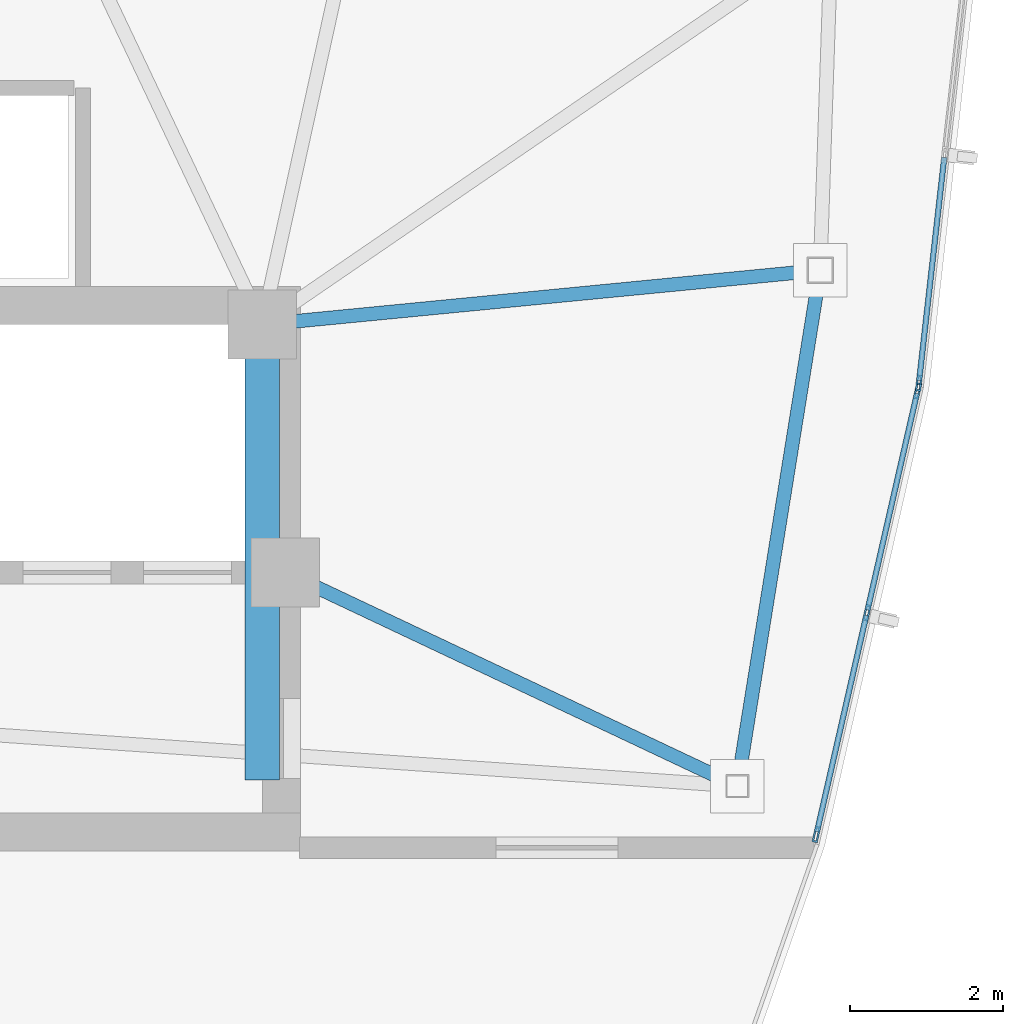
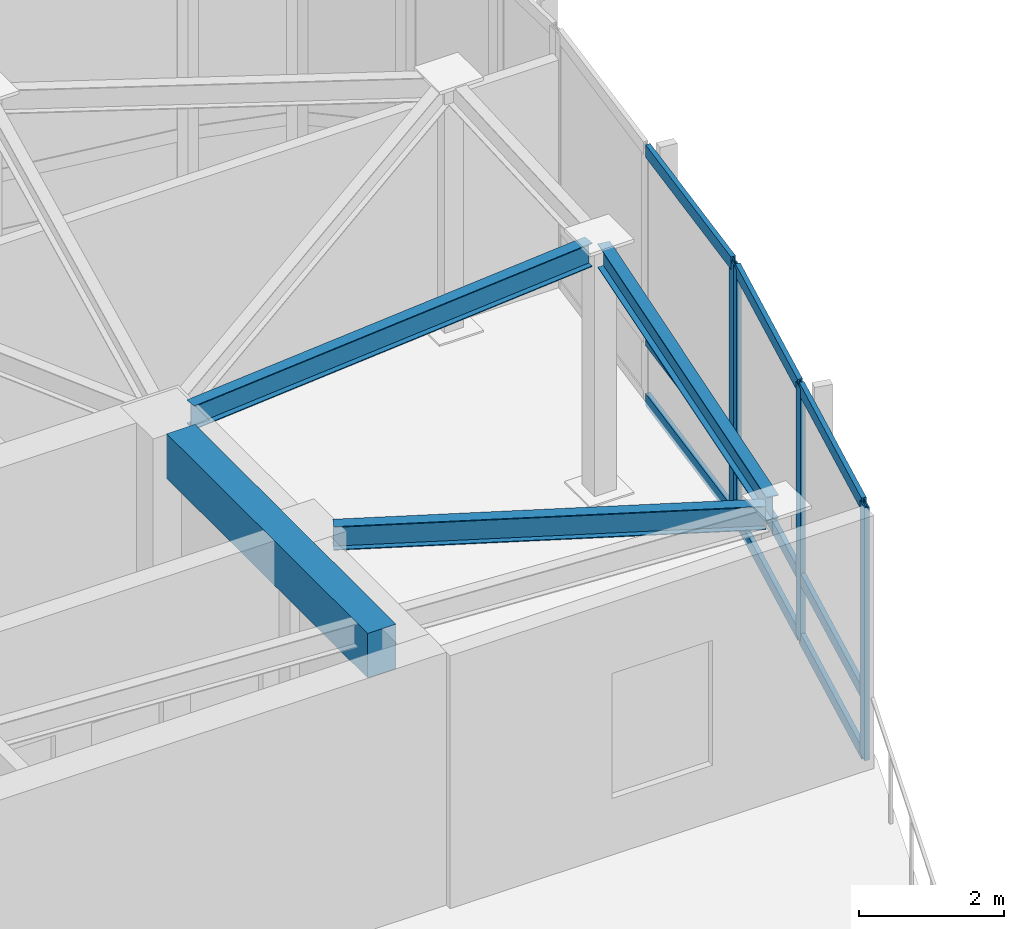
# One storey, part 5 of 16: 13 members, 4 beams, 2 elements without a shape of their own.
"""IFC4 building model written with IfcOpenShell, lengths in metres."""

from ifc_helpers import new_model, si_unit, direction, frame, origin, origin_2d, place, context, subcontext, project, spatial, rectangle, hollow_rectangle, i_section, extrude, source, transform, mapped, material, layer, layer_set, material_profile, profile_set, type_object, type_shapes, element, aggregate, save


model = new_model("IFC4")

# Units and contexts
model_context = context("Model", 3, precision=1e-05, world=origin(), true_north=direction((0.0, 1.0)))
body_context = subcontext(model_context, "Body", "Model", "MODEL_VIEW")
ifc_project = project(units=[si_unit("LENGTHUNIT", "METRE"), si_unit("AREAUNIT", "SQUARE_METRE"), si_unit("VOLUMEUNIT", "CUBIC_METRE"), si_unit("PLANEANGLEUNIT", "RADIAN"), si_unit("MASSUNIT", "GRAM", prefix="KILO")], contexts=[model_context])

# Site, building, storey
site_placement = place(None, origin())
site = spatial("IfcSite", under=ifc_project, at=site_placement, CompositionType="ELEMENT")
building_placement = place(site_placement, origin())
building = spatial("IfcBuilding", under=site, at=building_placement, Name="Tavelor Broadcast Tower", CompositionType="ELEMENT")
storey_placement = place(building_placement, frame((0.0, 0.0, 332.10009765625)))
storey = spatial("IfcBuildingStorey", under=building, at=storey_placement, Name="L79", CompositionType="ELEMENT", Elevation=332.10009765625)

# Beams
ifc_material_1 = material(Name="Concrete C40/50", Category="concrete")
ifc_material_profile_1 = material_profile(ifc_material_1, rectangle(XDim=0.449951171875, YDim=0.75, at=origin_2d()), Name="RC 450x750")
ifc_profile_set_1 = profile_set([ifc_material_profile_1], Name="Concrete C40/50")
beam_type_1 = type_object("IfcBeamType", Name="Basement Core Trim Beam 450x750", PredefinedType="BEAM", material=ifc_profile_set_1)
beam_1_placement = place(storey_placement, frame((56.60009765625, 45.23193359375, 3.875), z_axis=(0.0, 1.0, 0.0), x_axis=(-1.0, 0.0, 0.0)))
element("IfcBeam", 1, at=beam_1_placement, inside=storey, type_object=beam_type_1, Name="L79 Core East-N Tie Girder", PredefinedType="BEAM", context=body_context, shape_type="SweptSolid", body=[
    extrude(rectangle(XDim=0.449951171875, YDim=0.75, at=origin_2d()), origin(), (0.0, 0.0, 1.0), 5.5361328125),
])
ifc_material_2 = material(Name="Steel S355", Category="steel")
ifc_material_profile_2 = material_profile(ifc_material_2, i_section(OverallWidth=0.179931640625, OverallDepth=0.39990234375, WebThickness=0.008544921875, FlangeThickness=0.013427734375, at=origin_2d()), Name="IPE 400")
ifc_profile_set_2 = profile_set([ifc_material_profile_2], Name="Steel S355")
beam_type_2 = type_object("IfcBeamType", Name="Crown Ring Spandrel Beam IPE400", PredefinedType="SPANDREL", material=ifc_profile_set_2)
beam_2_placement = place(storey_placement, frame((62.8505859375, 45.301025390625, 4.0498046875), z_axis=(0.158423056648, 0.987371325856, 0.0), x_axis=(-0.987371325856, 0.158423056648, 0.0)))
element("IfcBeam", 2, at=beam_2_placement, inside=storey, type_object=beam_type_2, Name="L79 Crown Peak A Ring Spandrel 4", PredefinedType="SPANDREL", context=body_context, shape_type="SweptSolid", body=[
    extrude(i_section(OverallWidth=0.179931640625, OverallDepth=0.39990234375, WebThickness=0.008544921875, FlangeThickness=0.013427734375, at=origin_2d()), origin(), (0.0, 0.0, 1.0), 6.515625),
])
beam_3_placement = place(storey_placement, frame((57.29052734375, 47.765380859375, 4.0498046875), z_axis=(0.904175381404, -0.427161421085, 0.0), x_axis=(0.427161421085, 0.904175381404, 0.0)))
element("IfcBeam", 3, at=beam_3_placement, inside=storey, type_object=beam_type_2, Name="L79 Crown Peak A Radial Beam 4", PredefinedType="SPANDREL", context=body_context, shape_type="SweptSolid", body=[
    extrude(i_section(OverallWidth=0.179931640625, OverallDepth=0.39990234375, WebThickness=0.008544921875, FlangeThickness=0.013427734375, at=origin_2d()), origin(), (0.0, 0.0, 1.0), 5.9697265625),
])
beam_4_placement = place(storey_placement, frame((57.030029296875, 51.24169921875, 4.0498046875), z_axis=(0.995308664836, 0.096750512672, 0.0), x_axis=(-0.096750512672, 0.995308664836, 0.0)))
element("IfcBeam", 4, at=beam_4_placement, inside=storey, type_object=beam_type_2, Name="L79 Crown Peak A Radial Beam 5", PredefinedType="SPANDREL", context=body_context, shape_type="SweptSolid", body=[
    extrude(i_section(OverallWidth=0.179931640625, OverallDepth=0.39990234375, WebThickness=0.008544921875, FlangeThickness=0.013427734375, at=origin_2d()), origin(), (0.0, 0.0, 1.0), 6.73486328125),
])

# Curtain wall, members
ifc_material_3 = material(Name="Architectural Anodized Aluminium", Category="aluminium")
ifc_layer = layer(ifc_material_3, 0.2099609375)
ifc_layer_set = layer_set([ifc_layer], Name="Architectural Anodized Aluminium")
curtain_wall_type = type_object("IfcCurtainWallType", Name="Split-Crown Beacon Curtain Wall CW06", PredefinedType="NOTDEFINED", material=ifc_layer_set)
curtain_wall_1_placement = place(storey_placement, origin())
curtain_wall_1 = element("IfcCurtainWall", 5, at=curtain_wall_1_placement, inside=storey, type_object=curtain_wall_type, Name="L79 Curtain Wall CW06 Run 877", PredefinedType="NOTDEFINED")
ifc_material_profile_3 = material_profile(ifc_material_3, hollow_rectangle(XDim=0.072021484375, YDim=0.2099609375, WallThickness=0.02197265625, at=origin_2d()), Name="RHS 72x210x22")
ifc_profile_set_3 = profile_set([ifc_material_profile_3], Name="Architectural Anodized Aluminium")
member_type_1 = type_object("IfcMemberType", Name="CW06 Extruded Aluminium Mullion 72x210", PredefinedType="MULLION", material=ifc_profile_set_3)
shared_shape_1 = source(origin(), body_context, "Body", "SweptSolid", [
    extrude(hollow_rectangle(XDim=0.072021484375, YDim=0.2099609375, WallThickness=0.02197265625, at=origin_2d()), origin(), (0.0, 0.0, 1.0), 4.25),
])
type_shapes(member_type_1, [shared_shape_1])
member_1_placement = place(storey_placement, frame((63.861328125, 44.51611328125, 0.0), z_axis=(0.0, 0.0, 1.0), x_axis=(-0.974948922081, 0.222428863533, 0.0)))
member_1 = element("IfcMember", 6, at=member_1_placement, type_object=member_type_1, Name="CW06 mullion 1", PredefinedType="MULLION", context=body_context, shape_type="MappedRepresentation", body=[
    mapped(shared_shape_1, transform((0.0, 0.0, 0.0), scale=1.0)),
])
member_2_placement = place(storey_placement, frame((64.5244140625, 47.4228515625, 0.0), z_axis=(0.0, 0.0, 1.0), x_axis=(-0.974948922081, 0.222428863533, 0.0)))
member_2 = element("IfcMember", 7, at=member_2_placement, type_object=member_type_1, Name="CW06 mullion 2", PredefinedType="MULLION", context=body_context, shape_type="MappedRepresentation", body=[
    mapped(shared_shape_1, transform((0.0, 0.0, 0.0), scale=1.0)),
])
member_3_placement = place(storey_placement, frame((65.187744140625, 50.329833984375, 0.0), z_axis=(0.0, 0.0, 1.0), x_axis=(-0.974948922081, 0.222428863533, 0.0)))
member_3 = element("IfcMember", 8, at=member_3_placement, type_object=member_type_1, Name="CW06 mullion 3", PredefinedType="MULLION", context=body_context, shape_type="MappedRepresentation", body=[
    mapped(shared_shape_1, transform((0.0, 0.0, 0.0), scale=1.0)),
])

# Curtain wall, member
curtain_wall_2_placement = place(storey_placement, origin())
curtain_wall_2 = element("IfcCurtainWall", 9, at=curtain_wall_2_placement, inside=storey, type_object=curtain_wall_type, Name="L79 Curtain Wall CW06 Run 878", PredefinedType="NOTDEFINED")
member_4_placement = place(storey_placement, frame((65.204833984375, 50.43017578125, 0.0), z_axis=(0.0, 0.0, 1.0), x_axis=(-0.993728401427, 0.111820678752, 0.0)))
member_4 = element("IfcMember", 10, at=member_4_placement, type_object=member_type_1, Name="CW06 mullion 1", PredefinedType="MULLION", context=body_context, shape_type="MappedRepresentation", body=[
    mapped(shared_shape_1, transform((0.0, 0.0, 0.0), scale=1.0)),
])

# Member
ifc_material_profile_4 = material_profile(ifc_material_3, hollow_rectangle(XDim=0.072021484375, YDim=0.2099609375, WallThickness=0.02197265625, at=origin_2d()), Name="RHS 72x210x22")
ifc_profile_set_4 = profile_set([ifc_material_profile_4], Name="Architectural Anodized Aluminium")
member_type_2 = type_object("IfcMemberType", Name="CW06 Extruded Aluminium Transom 72x210", PredefinedType="USERDEFINED", material=ifc_profile_set_4)
shared_shape_2 = source(origin(), body_context, "Body", "SweptSolid", [
    extrude(hollow_rectangle(XDim=0.072021484375, YDim=0.2099609375, WallThickness=0.02197265625, at=origin_2d()), origin(), (0.0, 0.0, 1.0), 2.90966796875),
])
member_5_placement = place(storey_placement, frame((63.869384765625, 44.551025390625, 0.035888671875), z_axis=(0.222444294622, 0.97494540144, 0.0), x_axis=(-0.97494540144, 0.222444294622, 0.0)))
member_5 = element("IfcMember", 11, at=member_5_placement, type_object=member_type_2, Name="CW06 transom 1.1", ObjectType="TRANSOM", PredefinedType="USERDEFINED", context=body_context, shape_type="MappedRepresentation", body=[
    mapped(shared_shape_2, transform((0.0, 0.0, 0.0), scale=1.0)),
])

member_6_placement = place(storey_placement, frame((63.869384765625, 44.551025390625, 1.0498046875), z_axis=(0.222444294622, 0.97494540144, 0.0), x_axis=(-0.97494540144, 0.222444294622, 0.0)))
member_6 = element("IfcMember", 12, at=member_6_placement, type_object=member_type_2, Name="CW06 transom 1.2", ObjectType="TRANSOM", PredefinedType="USERDEFINED", context=body_context, shape_type="MappedRepresentation", body=[
    mapped(shared_shape_2, transform((0.0, 0.0, 0.0), scale=1.0)),
])

member_7_placement = place(storey_placement, frame((63.869384765625, 44.551025390625, 4.2138671875), z_axis=(0.222444294622, 0.97494540144, 0.0), x_axis=(-0.97494540144, 0.222444294622, 0.0)))
member_7 = element("IfcMember", 13, at=member_7_placement, type_object=member_type_2, Name="CW06 transom 1.3", ObjectType="TRANSOM", PredefinedType="USERDEFINED", context=body_context, shape_type="MappedRepresentation", body=[
    mapped(shared_shape_2, transform((0.0, 0.0, 0.0), scale=1.0)),
])

member_8_placement = place(storey_placement, frame((64.532470703125, 47.4580078125, 0.035888671875), z_axis=(0.222444294622, 0.97494540144, 0.0), x_axis=(-0.97494540144, 0.222444294622, 0.0)))
member_8 = element("IfcMember", 14, at=member_8_placement, type_object=member_type_2, Name="CW06 transom 2.1", ObjectType="TRANSOM", PredefinedType="USERDEFINED", context=body_context, shape_type="MappedRepresentation", body=[
    mapped(shared_shape_2, transform((0.0, 0.0, 0.0), scale=1.0)),
])

member_9_placement = place(storey_placement, frame((64.532470703125, 47.4580078125, 1.0498046875), z_axis=(0.222444294622, 0.97494540144, 0.0), x_axis=(-0.97494540144, 0.222444294622, 0.0)))
member_9 = element("IfcMember", 15, at=member_9_placement, type_object=member_type_2, Name="CW06 transom 2.2", ObjectType="TRANSOM", PredefinedType="USERDEFINED", context=body_context, shape_type="MappedRepresentation", body=[
    mapped(shared_shape_2, transform((0.0, 0.0, 0.0), scale=1.0)),
])

member_10_placement = place(storey_placement, frame((64.532470703125, 47.4580078125, 4.2138671875), z_axis=(0.222444294622, 0.97494540144, 0.0), x_axis=(-0.97494540144, 0.222444294622, 0.0)))
member_10 = element("IfcMember", 16, at=member_10_placement, type_object=member_type_2, Name="CW06 transom 2.3", ObjectType="TRANSOM", PredefinedType="USERDEFINED", context=body_context, shape_type="MappedRepresentation", body=[
    mapped(shared_shape_2, transform((0.0, 0.0, 0.0), scale=1.0)),
])

aggregate(curtain_wall_1, [member_1, member_2, member_3, member_5, member_6, member_7, member_8, member_9, member_10])

shared_shape_3 = source(origin(), body_context, "Body", "SweptSolid", [
    extrude(hollow_rectangle(XDim=0.072021484375, YDim=0.2099609375, WallThickness=0.02197265625, at=origin_2d()), origin(), (0.0, 0.0, 1.0), 2.941650390625),
])
type_shapes(member_type_2, [shared_shape_2, shared_shape_3])
member_11_placement = place(storey_placement, frame((65.208740234375, 50.466064453125, 0.035888671875), z_axis=(0.11179784658, 0.993730970384, 0.0), x_axis=(-0.993730970384, 0.11179784658, 0.0)))
member_11 = element("IfcMember", 17, at=member_11_placement, type_object=member_type_2, Name="CW06 transom 1.1", ObjectType="TRANSOM", PredefinedType="USERDEFINED", context=body_context, shape_type="MappedRepresentation", body=[
    mapped(shared_shape_3, transform((0.0, 0.0, 0.0), scale=1.0)),
])

member_12_placement = place(storey_placement, frame((65.208740234375, 50.466064453125, 1.0498046875), z_axis=(0.11179784658, 0.993730970384, 0.0), x_axis=(-0.993730970384, 0.11179784658, 0.0)))
member_12 = element("IfcMember", 18, at=member_12_placement, type_object=member_type_2, Name="CW06 transom 1.2", ObjectType="TRANSOM", PredefinedType="USERDEFINED", context=body_context, shape_type="MappedRepresentation", body=[
    mapped(shared_shape_3, transform((0.0, 0.0, 0.0), scale=1.0)),
])

member_13_placement = place(storey_placement, frame((65.208740234375, 50.466064453125, 4.2138671875), z_axis=(0.11179784658, 0.993730970384, 0.0), x_axis=(-0.993730970384, 0.11179784658, 0.0)))
member_13 = element("IfcMember", 19, at=member_13_placement, type_object=member_type_2, Name="CW06 transom 1.3", ObjectType="TRANSOM", PredefinedType="USERDEFINED", context=body_context, shape_type="MappedRepresentation", body=[
    mapped(shared_shape_3, transform((0.0, 0.0, 0.0), scale=1.0)),
])

aggregate(curtain_wall_2, [member_4, member_11, member_12, member_13])

save(model, "model.ifc")
